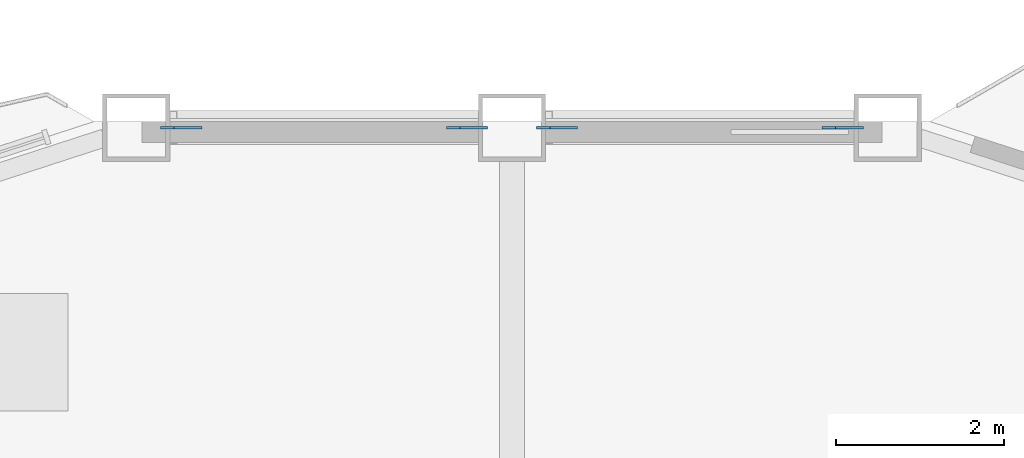
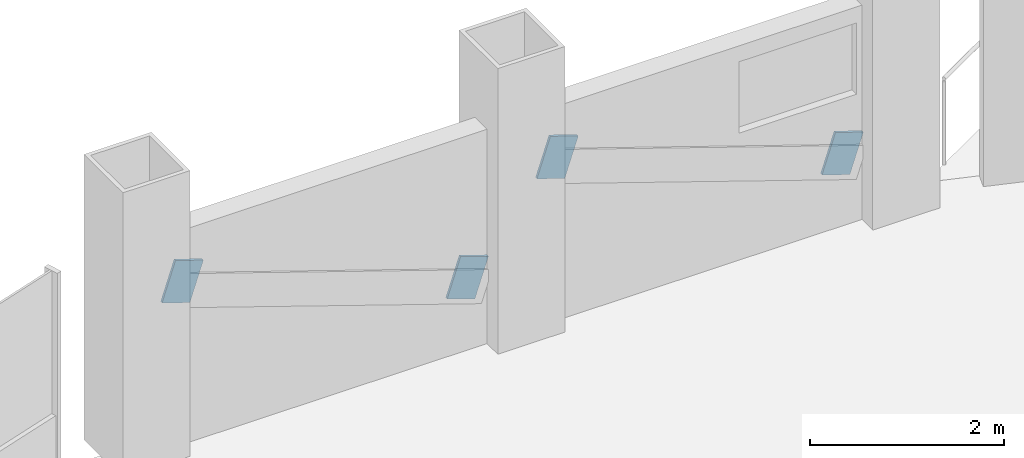
# One storey, part 18 of 23: 4 discrete accessories.
"""IFC4 building model written with IfcOpenShell, lengths in metres."""

from ifc_helpers import new_model, si_unit, direction, frame, origin, origin_2d, place, context, subcontext, project, spatial, rectangle, extrude, material, material_profile, profile_set, type_object, element, save


model = new_model("IFC4")

# Units and contexts
model_context = context("Model", 3, precision=1e-05, world=origin(), true_north=direction((0.0, 1.0)))
body_context = subcontext(model_context, "Body", "Model", "MODEL_VIEW")
ifc_project = project(units=[si_unit("LENGTHUNIT", "METRE"), si_unit("AREAUNIT", "SQUARE_METRE"), si_unit("VOLUMEUNIT", "CUBIC_METRE"), si_unit("PLANEANGLEUNIT", "RADIAN"), si_unit("MASSUNIT", "GRAM", prefix="KILO")], contexts=[model_context])

# Site, building, storey
site_placement = place(None, origin())
site = spatial("IfcSite", under=ifc_project, at=site_placement, CompositionType="ELEMENT")
building_placement = place(site_placement, origin())
building = spatial("IfcBuilding", under=site, at=building_placement, Name="Cormorant Prow Tower", CompositionType="ELEMENT")
storey_placement = place(building_placement, frame((0.0, 0.0, 187.199951171875)))
storey = spatial("IfcBuildingStorey", under=building, at=storey_placement, Name="L40", CompositionType="ELEMENT", Elevation=187.199951171875)

# Discrete accessories
ifc_material = material(Name="Structural steel ASTM A500 Gr C", Category="steel")
ifc_material_profile = material_profile(ifc_material, rectangle(XDim=0.031982421875, YDim=0.506103515625, at=origin_2d()), Name="Gusset plate 32x506")
ifc_profile_set = profile_set([ifc_material_profile], Name="Structural steel ASTM A500 Gr C")
discrete_accessory_type = type_object("IfcDiscreteAccessoryType", Name="Gusset plate 32x506", PredefinedType="BRACKET", material=ifc_profile_set)
discrete_accessory_1_placement = place(storey_placement, frame((3.768798828125, 32.3994140625, 0.835693359375), z_axis=(0.947843027885, 0.0, -0.318737500915), x_axis=(0.0, 1.0, 0.0)))
element("IfcDiscreteAccessory", 1, at=discrete_accessory_1_placement, inside=storey, type_object=discrete_accessory_type, Name="Gusset plate GP2 L40.N00.g0", PredefinedType="BRACKET", context=body_context, shape_type="SweptSolid", body=[
    extrude(rectangle(XDim=0.031982421875, YDim=0.506103515625, at=origin_2d()), origin(), (0.0, 0.0, 1.0), 0.35009765625),
])
discrete_accessory_2_placement = place(storey_placement, frame((0.701416015625, 32.3994140625, 1.865478515625), z_axis=(-0.948053578163, 0.0, 0.318110692893), x_axis=(0.0, -1.0, 0.0)))
element("IfcDiscreteAccessory", 2, at=discrete_accessory_2_placement, inside=storey, type_object=discrete_accessory_type, Name="Gusset plate GP2 L40.N00.g1", PredefinedType="BRACKET", context=body_context, shape_type="SweptSolid", body=[
    extrude(rectangle(XDim=0.031982421875, YDim=0.506103515625, at=origin_2d()), origin(), (0.0, 0.0, 1.0), 0.349853515625),
])
discrete_accessory_3_placement = place(storey_placement, frame((-0.701416015625, 32.3994140625, 0.835693359375), z_axis=(0.947843027885, 0.0, -0.318737500915), x_axis=(0.0, 1.0, 0.0)))
element("IfcDiscreteAccessory", 3, at=discrete_accessory_3_placement, inside=storey, type_object=discrete_accessory_type, Name="Gusset plate GP2 L40.N01.g0", PredefinedType="BRACKET", context=body_context, shape_type="SweptSolid", body=[
    extrude(rectangle(XDim=0.031982421875, YDim=0.506103515625, at=origin_2d()), origin(), (0.0, 0.0, 1.0), 0.35009765625),
])
discrete_accessory_4_placement = place(storey_placement, frame((-3.768798828125, 32.3994140625, 1.865478515625), z_axis=(-0.948053578163, 0.0, 0.318110692893), x_axis=(0.0, -1.0, 0.0)))
element("IfcDiscreteAccessory", 4, at=discrete_accessory_4_placement, inside=storey, type_object=discrete_accessory_type, Name="Gusset plate GP2 L40.N01.g1", PredefinedType="BRACKET", context=body_context, shape_type="SweptSolid", body=[
    extrude(rectangle(XDim=0.031982421875, YDim=0.506103515625, at=origin_2d()), origin(), (0.0, 0.0, 1.0), 0.349853515625),
])

save(model, "model.ifc")
